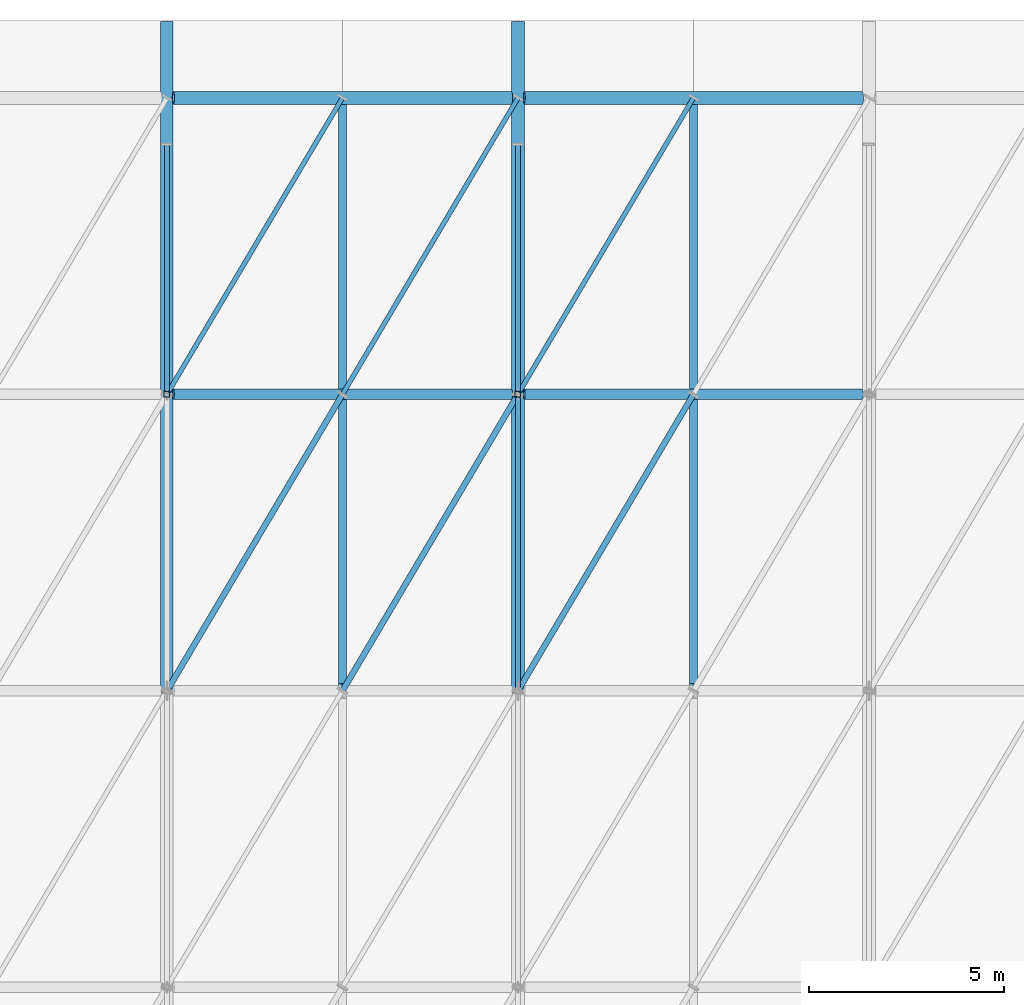
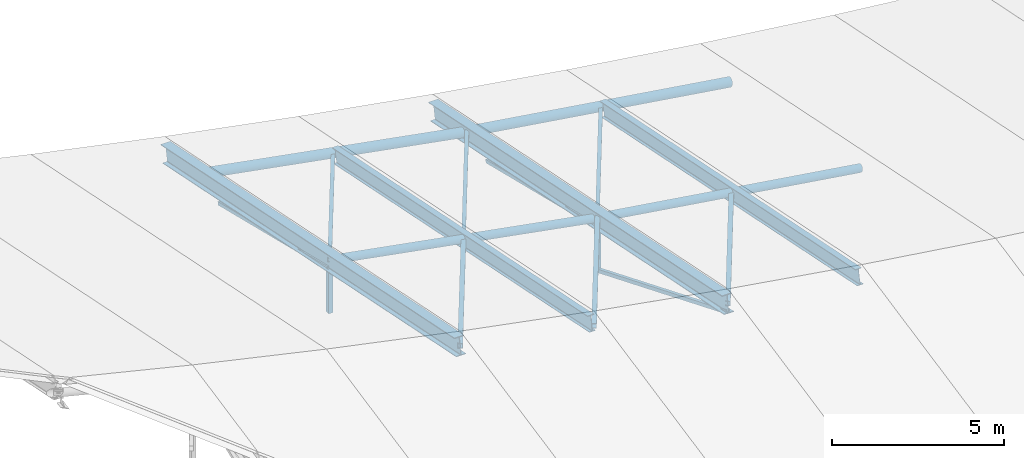
# One storey, part 7 of 21: 11 members, 8 beams.
"""IFC4 building model written with IfcOpenShell, lengths in metres."""

from ifc_helpers import new_model, si_unit, direction, frame, origin, origin_2d, place, context, subcontext, project, spatial, hollow_rectangle, hollow_circle, i_section, extrude, material, material_profile, profile_set, type_object, element, save


model = new_model("IFC4")

# Units and contexts
model_context = context("Model", 3, precision=1e-05, world=origin(), true_north=direction((0.0, 1.0)))
body_context = subcontext(model_context, "Body", "Model", "MODEL_VIEW")
ifc_project = project(units=[si_unit("LENGTHUNIT", "METRE"), si_unit("AREAUNIT", "SQUARE_METRE"), si_unit("VOLUMEUNIT", "CUBIC_METRE"), si_unit("PLANEANGLEUNIT", "RADIAN"), si_unit("MASSUNIT", "GRAM", prefix="KILO")], contexts=[model_context])

# Site, building, storey
site_placement = place(None, origin())
site = spatial("IfcSite", under=ifc_project, at=site_placement, CompositionType="ELEMENT")
building_placement = place(site_placement, origin())
building = spatial("IfcBuilding", under=site, at=building_placement, Name="Caisbarro Railhouse Central Library", CompositionType="ELEMENT")
storey_placement = place(building_placement, frame((0.0, 0.0, 26.639892578125)))
storey = spatial("IfcBuildingStorey", under=building, at=storey_placement, Name="RF", CompositionType="ELEMENT", Elevation=26.639892578125)

# Beams
ifc_material = material(Name="Steel ASTM A572 Grade 50", Category="steel")
ifc_material_profile_1 = material_profile(ifc_material, i_section(OverallWidth=0.324951171875, OverallDepth=0.615966796875, WebThickness=0.013916015625, FlangeThickness=0.021484375, FilletRadius=0.02197265625, at=origin_2d()), Name="W610X174.0")
ifc_profile_set_1 = profile_set([ifc_material_profile_1], Name="Steel ASTM A572 Grade 50")
beam_type_1 = type_object("IfcBeamType", Name="BM-G02", PredefinedType="BEAM", material=ifc_profile_set_1)
for number, where, z_axis, x_axis, name in (
    (1, (18.0, 45.60009765625, -1.809814453125), (0.0, 0.979828942298, -0.199838044013), (-1.0, 0.0, 0.0), "V1 Gridshell North Rafter X=18"),
    (2, (27.0, 45.60009765625, -3.4599609375), (0.0, 0.979828942298, -0.199838044013), (-1.0, 0.0, 0.0), "V1 Gridshell North Rafter X=27"),
):
    element("IfcBeam", number, at=place(storey_placement, frame(where, z_axis=z_axis, x_axis=x_axis)), inside=storey, type_object=beam_type_1, Name=name, PredefinedType="BEAM", context=body_context, shape_type="SweptSolid", body=[
        extrude(i_section(OverallWidth=0.324951171875, OverallDepth=0.615966796875, WebThickness=0.013916015625, FlangeThickness=0.021484375, FilletRadius=0.02197265625, at=origin_2d()), origin(), (0.0, 0.0, 1.0), 17.451904296875),
    ])
ifc_material_profile_2 = material_profile(ifc_material, i_section(OverallWidth=0.208984375, OverallDepth=0.532958984375, WebThickness=0.01025390625, FlangeThickness=0.015625, FilletRadius=0.02001953125, at=origin_2d()), Name="W530X92.0")
ifc_profile_set_2 = profile_set([ifc_material_profile_2], Name="Steel ASTM A572 Grade 50")
beam_type_2 = type_object("IfcBeamType", Name="BM-G06", PredefinedType="BEAM", material=ifc_profile_set_2)
for number, where, z_axis, x_axis, name in (
    (3, (22.5, 45.739990234375, -2.66357421875), (0.0, 0.979832431979, -0.19982093294), (-1.0, 0.0, 0.0), "V1 Gridshell Secondary Rafter North 3"),
    (4, (31.5, 45.739990234375, -4.16357421875), (0.0, 0.979832431979, -0.19982093294), (-1.0, 0.0, 0.0), "V1 Gridshell Secondary Rafter North 4"),
):
    element("IfcBeam", number, at=place(storey_placement, frame(where, z_axis=z_axis, x_axis=x_axis)), inside=storey, type_object=beam_type_2, Name=name, PredefinedType="BEAM", context=body_context, shape_type="SweptSolid", body=[
        extrude(i_section(OverallWidth=0.208984375, OverallDepth=0.532958984375, WebThickness=0.01025390625, FlangeThickness=0.015625, FilletRadius=0.02001953125, at=origin_2d()), origin(), (0.0, 0.0, 1.0), 15.20166015625),
    ])
ifc_material_profile_3 = material_profile(ifc_material, hollow_circle(Radius=0.161865234375, WallThickness=0.01611328125, at=origin_2d()), Name="CHS323.9X16.0")
ifc_profile_set_3 = profile_set([ifc_material_profile_3], Name="Steel ASTM A572 Grade 50")
beam_type_3 = type_object("IfcBeamType", Name="BM-RB01", PredefinedType="BEAM", material=ifc_profile_set_3)
beam_1_placement = place(storey_placement, frame((18.1650390625, 60.800048828125, -4.940185546875), z_axis=(0.983604264655, 0.0, -0.18034037416), x_axis=(0.0, 1.0, 0.0)))
element("IfcBeam", 5, at=beam_1_placement, inside=storey, type_object=beam_type_3, Name="V1 Gridshell Longitudinal Chord N03", PredefinedType="BEAM", context=body_context, shape_type="SweptSolid", body=[
    extrude(hollow_circle(Radius=0.161865234375, WallThickness=0.01611328125, at=origin_2d()), origin(), (0.0, 0.0, 1.0), 8.814453125),
])
beam_2_placement = place(storey_placement, frame((27.1650390625, 60.800048828125, -6.584716796875), z_axis=(0.988939620858, 0.0, -0.148318664696), x_axis=(0.0, 1.0, 0.0)))
element("IfcBeam", 6, at=beam_2_placement, inside=storey, type_object=beam_type_3, Name="V1 Gridshell Longitudinal Chord N04", PredefinedType="BEAM", context=body_context, shape_type="SweptSolid", body=[
    extrude(hollow_circle(Radius=0.161865234375, WallThickness=0.01611328125, at=origin_2d()), origin(), (0.0, 0.0, 1.0), 8.766845703125),
])
ifc_material_profile_4 = material_profile(ifc_material, hollow_circle(Radius=0.136474609375, WallThickness=0.012451171875, at=origin_2d()), Name="CHS273.0X12.5")
ifc_profile_set_4 = profile_set([ifc_material_profile_4], Name="Steel ASTM A572 Grade 50")
beam_type_4 = type_object("IfcBeamType", Name="BM-RB02", PredefinedType="BEAM", material=ifc_profile_set_4)
beam_3_placement = place(storey_placement, frame((18.1650390625, 53.199951171875, -3.39013671875), z_axis=(0.983604264655, 0.0, -0.18034037416), x_axis=(0.0, 1.0, 0.0)))
element("IfcBeam", 7, at=beam_3_placement, inside=storey, type_object=beam_type_4, Name="V1 Gridshell Longitudinal Chord Q203", PredefinedType="BEAM", context=body_context, shape_type="SweptSolid", body=[
    extrude(hollow_circle(Radius=0.136474609375, WallThickness=0.012451171875, at=origin_2d()), origin(), (0.0, 0.0, 1.0), 8.814453125),
])
beam_4_placement = place(storey_placement, frame((27.1650390625, 53.199951171875, -5.03466796875), z_axis=(0.988935535799, 0.0, -0.148345899955), x_axis=(0.0, 1.0, 0.0)))
element("IfcBeam", 8, at=beam_4_placement, inside=storey, type_object=beam_type_4, Name="V1 Gridshell Longitudinal Chord Q204", PredefinedType="BEAM", context=body_context, shape_type="SweptSolid", body=[
    extrude(hollow_circle(Radius=0.136474609375, WallThickness=0.012451171875, at=origin_2d()), origin(), (0.0, 0.0, 1.0), 8.766845703125),
])

# Members
ifc_material_profile_5 = material_profile(ifc_material, hollow_rectangle(XDim=0.14990234375, YDim=0.14990234375, WallThickness=0.010009765625, at=origin_2d()), Name="HSS150X150X10")
ifc_profile_set_5 = profile_set([ifc_material_profile_5], Name="Steel ASTM A572 Grade 50")
member_type_1 = type_object("IfcMemberType", Name="MEM-GS01", PredefinedType="STRUT", material=ifc_profile_set_5)
member_1_placement = place(storey_placement, frame((18.0, 53.199951171875, -5.2080078125), z_axis=(0.0, 0.0, 1.0), x_axis=(1.0, 0.0, 0.0)))
element("IfcMember", 9, at=member_1_placement, inside=storey, type_object=member_type_1, Name="V1 Gridshell QPN Strut 3", PredefinedType="STRUT", context=body_context, shape_type="SweptSolid", body=[
    extrude(hollow_rectangle(XDim=0.14990234375, YDim=0.14990234375, WallThickness=0.010009765625, at=origin_2d()), origin(), (0.0, 0.0, 1.0), 1.565185546875),
])
member_2_placement = place(storey_placement, frame((27.0, 53.199951171875, -6.85791015625), z_axis=(0.0, 0.0, 1.0), x_axis=(1.0, 0.0, 0.0)))
element("IfcMember", 10, at=member_2_placement, inside=storey, type_object=member_type_1, Name="V1 Gridshell QPN Strut 4", PredefinedType="STRUT", context=body_context, shape_type="SweptSolid", body=[
    extrude(hollow_rectangle(XDim=0.14990234375, YDim=0.14990234375, WallThickness=0.010009765625, at=origin_2d()), origin(), (0.0, 0.0, 1.0), 1.56494140625),
])
member_3_placement = place(storey_placement, frame((18.0, 45.60009765625, -1.809814453125), z_axis=(0.491492531534, 0.830060276374, -0.263505273254), x_axis=(-0.860471083771, 0.509499277717, 0.0)))
element("IfcMember", 11, at=member_3_placement, inside=storey, type_object=member_type_1, Name="V1 Gridshell Diagonal Strut 19", PredefinedType="STRUT", context=body_context, shape_type="SweptSolid", body=[
    extrude(hollow_rectangle(XDim=0.14990234375, YDim=0.14990234375, WallThickness=0.010009765625, at=origin_2d()), origin(), (0.0, 0.0, 1.0), 9.15576171875),
])
member_4_placement = place(storey_placement, frame((22.5, 45.60009765625, -2.67236328125), z_axis=(0.492539602717, 0.831828629176, -0.25586299349), x_axis=(-0.860471083771, 0.509499277717, 0.0)))
element("IfcMember", 12, at=member_4_placement, inside=storey, type_object=member_type_1, Name="V1 Gridshell Diagonal Strut 23", PredefinedType="STRUT", context=body_context, shape_type="SweptSolid", body=[
    extrude(hollow_rectangle(XDim=0.14990234375, YDim=0.14990234375, WallThickness=0.010009765625, at=origin_2d()), origin(), (0.0, 0.0, 1.0), 9.13623046875),
])
member_5_placement = place(storey_placement, frame((27.0, 45.60009765625, -3.4599609375), z_axis=(0.493563316634, 0.833557534912, -0.248147312025), x_axis=(-0.860471083771, 0.509499277717, 0.0)))
element("IfcMember", 13, at=member_5_placement, inside=storey, type_object=member_type_1, Name="V1 Gridshell Diagonal Strut 27", PredefinedType="STRUT", context=body_context, shape_type="SweptSolid", body=[
    extrude(hollow_rectangle(XDim=0.14990234375, YDim=0.14990234375, WallThickness=0.010009765625, at=origin_2d()), origin(), (0.0, 0.0, 1.0), 9.117431640625),
])
ifc_material_profile_6 = material_profile(ifc_material, hollow_rectangle(XDim=0.1201171875, YDim=0.1201171875, WallThickness=0.008056640625, at=origin_2d()), Name="HSS120X120X8")
ifc_profile_set_6 = profile_set([ifc_material_profile_6], Name="Steel ASTM A572 Grade 50")
member_type_2 = type_object("IfcMemberType", Name="MEM-GS02", PredefinedType="STRUT", material=ifc_profile_set_6)
member_6_placement = place(storey_placement, frame((18.0, 59.60009765625, -5.2080078125), z_axis=(0.0, -0.971374309995, 0.237554098851), x_axis=(1.0, 0.0, 0.0)))
element("IfcMember", 14, at=member_6_placement, inside=storey, type_object=member_type_2, Name="V1 Gridshell Truss Web DN1 3", PredefinedType="STRUT", context=body_context, shape_type="SweptSolid", body=[
    extrude(hollow_rectangle(XDim=0.1201171875, YDim=0.1201171875, WallThickness=0.008056640625, at=origin_2d()), origin(), (0.0, 0.0, 1.0), 6.5888671875),
])
member_7_placement = place(storey_placement, frame((27.0, 59.60009765625, -6.85791015625), z_axis=(0.0, -0.971382859831, 0.237519135286), x_axis=(1.0, 0.0, 0.0)))
element("IfcMember", 15, at=member_7_placement, inside=storey, type_object=member_type_2, Name="V1 Gridshell Truss Web DN1 4", PredefinedType="STRUT", context=body_context, shape_type="SweptSolid", body=[
    extrude(hollow_rectangle(XDim=0.1201171875, YDim=0.1201171875, WallThickness=0.008056640625, at=origin_2d()), origin(), (0.0, 0.0, 1.0), 6.588623046875),
])
member_8_placement = place(storey_placement, frame((27.0, 53.199951171875, -6.85791015625), z_axis=(0.0, -0.925292485077, 0.379254290761), x_axis=(1.0, 0.0, 0.0)))
element("IfcMember", 16, at=member_8_placement, inside=storey, type_object=member_type_2, Name="V1 Gridshell Truss Web DN2 4", PredefinedType="STRUT", context=body_context, shape_type="SweptSolid", body=[
    extrude(hollow_rectangle(XDim=0.1201171875, YDim=0.1201171875, WallThickness=0.008056640625, at=origin_2d()), origin(), (0.0, 0.0, 1.0), 8.21337890625),
])
member_9_placement = place(storey_placement, frame((18.0, 53.199951171875, -3.35986328125), z_axis=(0.49148165317, 0.830068568967, -0.263499441006), x_axis=(-0.860478259115, 0.509487159397, 0.0)))
element("IfcMember", 17, at=member_9_placement, inside=storey, type_object=member_type_2, Name="V1 Gridshell Diagonal Strut 20", PredefinedType="STRUT", context=body_context, shape_type="SweptSolid", body=[
    extrude(hollow_rectangle(XDim=0.1201171875, YDim=0.1201171875, WallThickness=0.008056640625, at=origin_2d()), origin(), (0.0, 0.0, 1.0), 9.156005859375),
])
member_10_placement = place(storey_placement, frame((22.5, 53.199951171875, -4.222412109375), z_axis=(0.492532021891, 0.831842547822, -0.255832333853), x_axis=(-0.860478259115, 0.509487159397, 0.0)))
element("IfcMember", 18, at=member_10_placement, inside=storey, type_object=member_type_2, Name="V1 Gridshell Diagonal Strut 24", PredefinedType="STRUT", context=body_context, shape_type="SweptSolid", body=[
    extrude(hollow_rectangle(XDim=0.1201171875, YDim=0.1201171875, WallThickness=0.008056640625, at=origin_2d()), origin(), (0.0, 0.0, 1.0), 9.136474609375),
])
member_11_placement = place(storey_placement, frame((27.0, 53.199951171875, -5.010009765625), z_axis=(0.493552300193, 0.833565706652, -0.248141773323), x_axis=(-0.860478259115, 0.509487159397, 0.0)))
element("IfcMember", 19, at=member_11_placement, inside=storey, type_object=member_type_2, Name="V1 Gridshell Diagonal Strut 28", PredefinedType="STRUT", context=body_context, shape_type="SweptSolid", body=[
    extrude(hollow_rectangle(XDim=0.1201171875, YDim=0.1201171875, WallThickness=0.008056640625, at=origin_2d()), origin(), (0.0, 0.0, 1.0), 9.11767578125),
])

save(model, "model.ifc")
